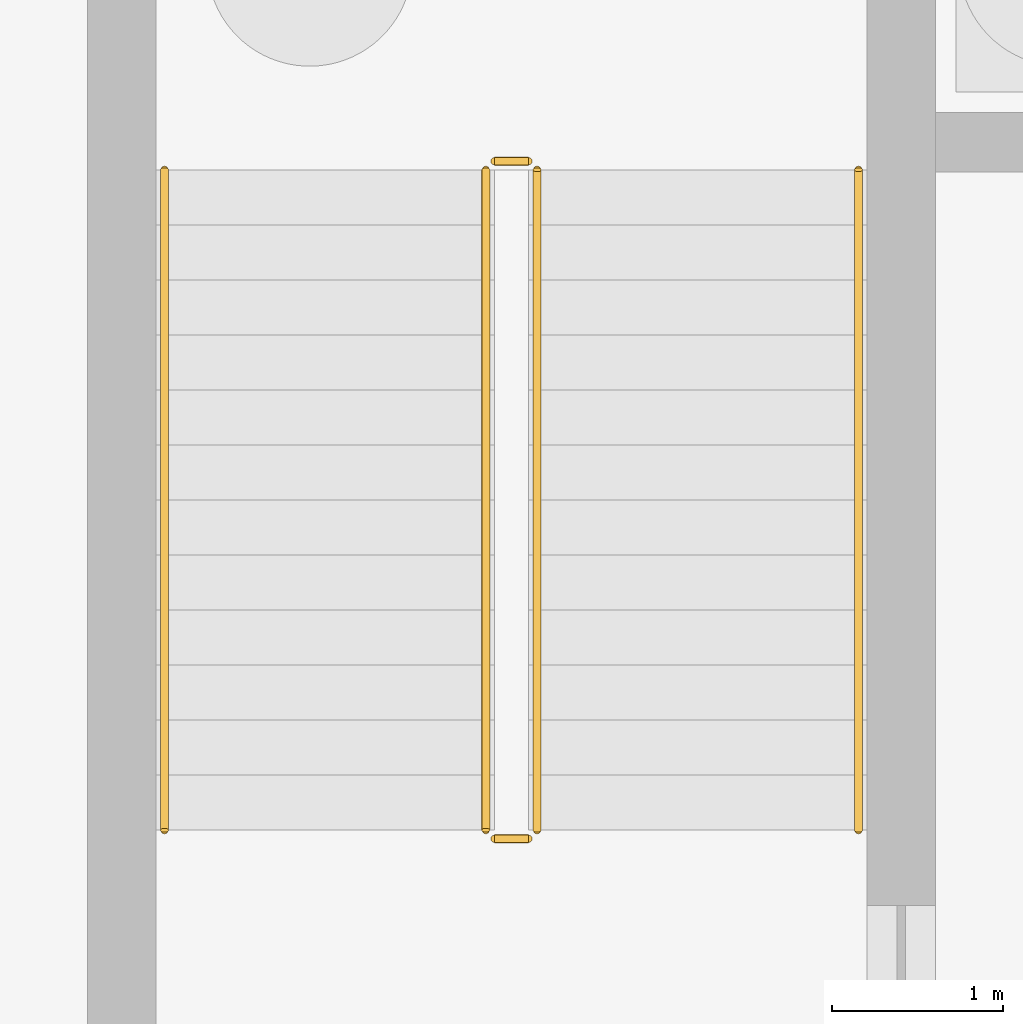
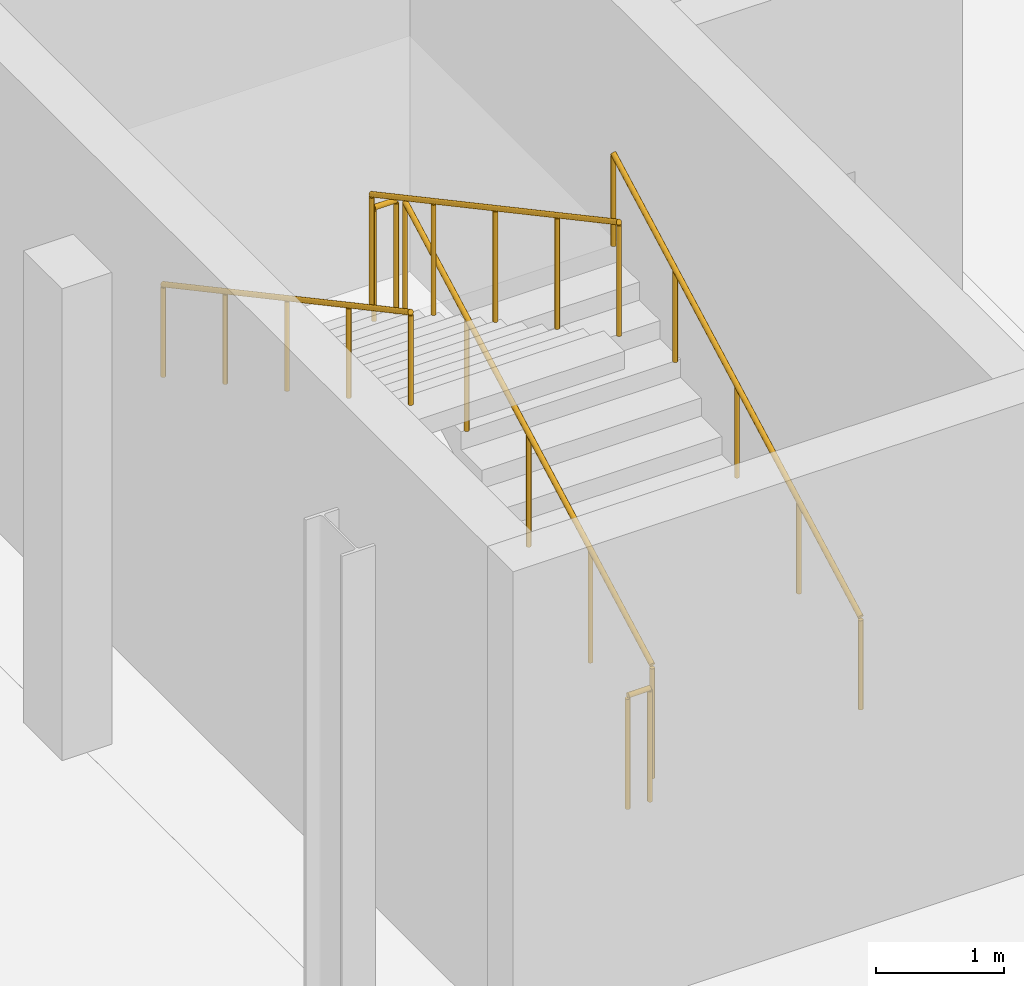
# One storey, part 40 of 45: 6 railings.
"""IFC4 building model written with IfcOpenShell, lengths in metres."""

from ifc_helpers import new_model, si_unit, direction, frame, origin, origin_2d, place, context, subcontext, project, spatial, circle, extrude, material, type_object, element, save


model = new_model("IFC4")

# Units and contexts
model_context = context("Model", 3, precision=1e-05, world=origin(), true_north=direction((0.0, 1.0)))
body_context = subcontext(model_context, "Body", "Model", "MODEL_VIEW")
ifc_project = project(units=[si_unit("LENGTHUNIT", "METRE"), si_unit("AREAUNIT", "SQUARE_METRE"), si_unit("VOLUMEUNIT", "CUBIC_METRE"), si_unit("PLANEANGLEUNIT", "RADIAN"), si_unit("MASSUNIT", "GRAM", prefix="KILO")], contexts=[model_context])

# Site, building, storey
site_placement = place(None, origin())
site = spatial("IfcSite", under=ifc_project, at=site_placement, CompositionType="ELEMENT")
building_placement = place(site_placement, origin())
building = spatial("IfcBuilding", under=site, at=building_placement, Name="Sefraquen Railside Congress Hotel", CompositionType="ELEMENT")
storey_placement = place(building_placement, frame((0.0, 0.0, -4.5)))
storey = spatial("IfcBuildingStorey", under=building, at=storey_placement, Name="B01", CompositionType="ELEMENT", Elevation=-4.5)

# Railings
ifc_material = material(Name="Patinated wrought architectural bronze", Category="metal")
railing_type_1 = type_object("IfcRailingType", Name="TRL-BAL-110", PredefinedType="BALUSTRADE", material=ifc_material)
railing_1_placement = place(storey_placement, frame((106.72998046875, 80.72998046875, 0.173095703125)))
element("IfcRailing", 1, at=railing_1_placement, inside=storey, type_object=railing_type_1, Name="B01 ST-M01 stair guard 1", PredefinedType="BALUSTRADE", context=body_context, shape_type="SweptSolid", body=[
    extrude(circle(Radius=0.02392578125, at=origin_2d()), frame((0.0, 0.0, 1.076171875), z_axis=(0.0, 0.880824687122, 0.473442573662), x_axis=(-1.0, 0.0, 0.0)), (0.0, 0.0, 1.0), 4.38671875),
    extrude(circle(Radius=0.02099609375, at=origin_2d()), origin(), (0.0, 0.0, 1.0), 1.052001953125),
    extrude(circle(Radius=0.02099609375, at=origin_2d()), frame((0.0, 0.966064453125, 0.519287109375)), (0.0, 0.0, 1.0), 1.052001953125),
    extrude(circle(Radius=0.02099609375, at=origin_2d()), frame((0.0, 1.93212890625, 1.03857421875)), (0.0, 0.0, 1.0), 1.052001953125),
    extrude(circle(Radius=0.02099609375, at=origin_2d()), frame((0.0, 2.89794921875, 1.5576171875)), (0.0, 0.0, 1.0), 1.052001953125),
    extrude(circle(Radius=0.02099609375, at=origin_2d()), frame((0.0, 3.864013671875, 2.076904296875)), (0.0, 0.0, 1.0), 1.052001953125),
])
railing_2_placement = place(storey_placement, frame((106.679931640625, 84.64404296875, 2.25)))
element("IfcRailing", 2, at=railing_2_placement, inside=storey, type_object=railing_type_1, Name="B01 ST-M01 stair guard 2", PredefinedType="BALUSTRADE", context=body_context, shape_type="SweptSolid", body=[
    extrude(circle(Radius=0.02392578125, at=origin_2d()), frame((0.0, 0.0, 1.076171875), z_axis=(-1.0, 0.0, 0.0), x_axis=(0.0, -1.0, 0.0)), (0.0, 0.0, 1.0), 0.199951171875),
    extrude(circle(Radius=0.02099609375, at=origin_2d()), origin(), (0.0, 0.0, 1.0), 1.052001953125),
    extrude(circle(Radius=0.02099609375, at=origin_2d()), frame((-0.199951171875, 0.0, 0.0)), (0.0, 0.0, 1.0), 1.052001953125),
])
railing_3_placement = place(storey_placement, frame((106.429931640625, 84.593994140625, 2.423095703125)))
element("IfcRailing", 3, at=railing_3_placement, inside=storey, type_object=railing_type_1, Name="B01 ST-M01 stair guard 3", PredefinedType="BALUSTRADE", context=body_context, shape_type="SweptSolid", body=[
    extrude(circle(Radius=0.02392578125, at=origin_2d()), frame((0.0, 0.0, 1.076171875), z_axis=(0.0, -0.880824687122, 0.473442573662), x_axis=(1.0, 0.0, 0.0)), (0.0, 0.0, 1.0), 4.38671875),
    extrude(circle(Radius=0.02099609375, at=origin_2d()), origin(), (0.0, 0.0, 1.0), 1.052001953125),
    extrude(circle(Radius=0.02099609375, at=origin_2d()), frame((0.0, -0.966064453125, 0.519287109375)), (0.0, 0.0, 1.0), 1.052001953125),
    extrude(circle(Radius=0.02099609375, at=origin_2d()), frame((0.0, -1.93212890625, 1.03857421875)), (0.0, 0.0, 1.0), 1.052001953125),
    extrude(circle(Radius=0.02099609375, at=origin_2d()), frame((0.0, -2.89794921875, 1.5576171875)), (0.0, 0.0, 1.0), 1.052001953125),
    extrude(circle(Radius=0.02099609375, at=origin_2d()), frame((0.0, -3.864013671875, 2.076904296875)), (0.0, 0.0, 1.0), 1.052001953125),
])
railing_4_placement = place(storey_placement, frame((106.679931640625, 80.679931640625, 0.0)))
element("IfcRailing", 4, at=railing_4_placement, inside=storey, type_object=railing_type_1, Name="B01 ST-M01 stair guard 4", PredefinedType="BALUSTRADE", context=body_context, shape_type="SweptSolid", body=[
    extrude(circle(Radius=0.02392578125, at=origin_2d()), frame((0.0, 0.0, 1.076171875), z_axis=(-1.0, 0.0, 0.0), x_axis=(0.0, -1.0, 0.0)), (0.0, 0.0, 1.0), 0.199951171875),
    extrude(circle(Radius=0.02099609375, at=origin_2d()), origin(), (0.0, 0.0, 1.0), 1.052001953125),
    extrude(circle(Radius=0.02099609375, at=origin_2d()), frame((-0.199951171875, 0.0, 0.0)), (0.0, 0.0, 1.0), 1.052001953125),
])
railing_type_2 = type_object("IfcRailingType", Name="TRL-HR-090", PredefinedType="HANDRAIL", material=ifc_material)
railing_5_placement = place(storey_placement, frame((108.610107421875, 80.72998046875, 0.173095703125)))
element("IfcRailing", 5, at=railing_5_placement, inside=storey, type_object=railing_type_2, Name="B01 ST-M01 stair handrail 1", PredefinedType="HANDRAIL", context=body_context, shape_type="SweptSolid", body=[
    extrude(circle(Radius=0.02392578125, at=origin_2d()), frame((0.0, 0.0, 0.8759765625), z_axis=(0.0, 0.880824687122, 0.473442573662), x_axis=(-1.0, 0.0, 0.0)), (0.0, 0.0, 1.0), 4.38671875),
    extrude(circle(Radius=0.02099609375, at=origin_2d()), origin(), (0.0, 0.0, 1.0), 0.851806640625),
    extrude(circle(Radius=0.02099609375, at=origin_2d()), frame((0.0, 0.966064453125, 0.519287109375)), (0.0, 0.0, 1.0), 0.851806640625),
    extrude(circle(Radius=0.02099609375, at=origin_2d()), frame((0.0, 1.93212890625, 1.03857421875)), (0.0, 0.0, 1.0), 0.851806640625),
    extrude(circle(Radius=0.02099609375, at=origin_2d()), frame((0.0, 2.89794921875, 1.5576171875)), (0.0, 0.0, 1.0), 0.851806640625),
    extrude(circle(Radius=0.02099609375, at=origin_2d()), frame((0.0, 3.864013671875, 2.076904296875)), (0.0, 0.0, 1.0), 0.851806640625),
])
railing_6_placement = place(storey_placement, frame((104.550048828125, 84.593994140625, 2.423095703125)))
element("IfcRailing", 6, at=railing_6_placement, inside=storey, type_object=railing_type_2, Name="B01 ST-M01 stair handrail 2", PredefinedType="HANDRAIL", context=body_context, shape_type="SweptSolid", body=[
    extrude(circle(Radius=0.02392578125, at=origin_2d()), frame((0.0, 0.0, 0.8759765625), z_axis=(0.0, -0.880824687122, 0.473442573662), x_axis=(1.0, 0.0, 0.0)), (0.0, 0.0, 1.0), 4.38671875),
    extrude(circle(Radius=0.02099609375, at=origin_2d()), origin(), (0.0, 0.0, 1.0), 0.851806640625),
    extrude(circle(Radius=0.02099609375, at=origin_2d()), frame((0.0, -0.966064453125, 0.519287109375)), (0.0, 0.0, 1.0), 0.851806640625),
    extrude(circle(Radius=0.02099609375, at=origin_2d()), frame((0.0, -1.93212890625, 1.03857421875)), (0.0, 0.0, 1.0), 0.851806640625),
    extrude(circle(Radius=0.02099609375, at=origin_2d()), frame((0.0, -2.89794921875, 1.5576171875)), (0.0, 0.0, 1.0), 0.851806640625),
    extrude(circle(Radius=0.02099609375, at=origin_2d()), frame((0.0, -3.864013671875, 2.076904296875)), (0.0, 0.0, 1.0), 0.851806640625),
])

save(model, "model.ifc")
